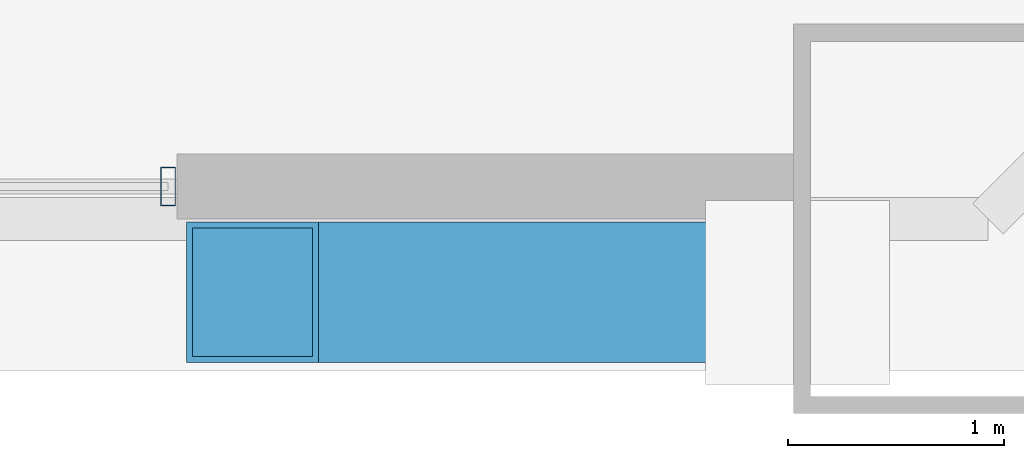
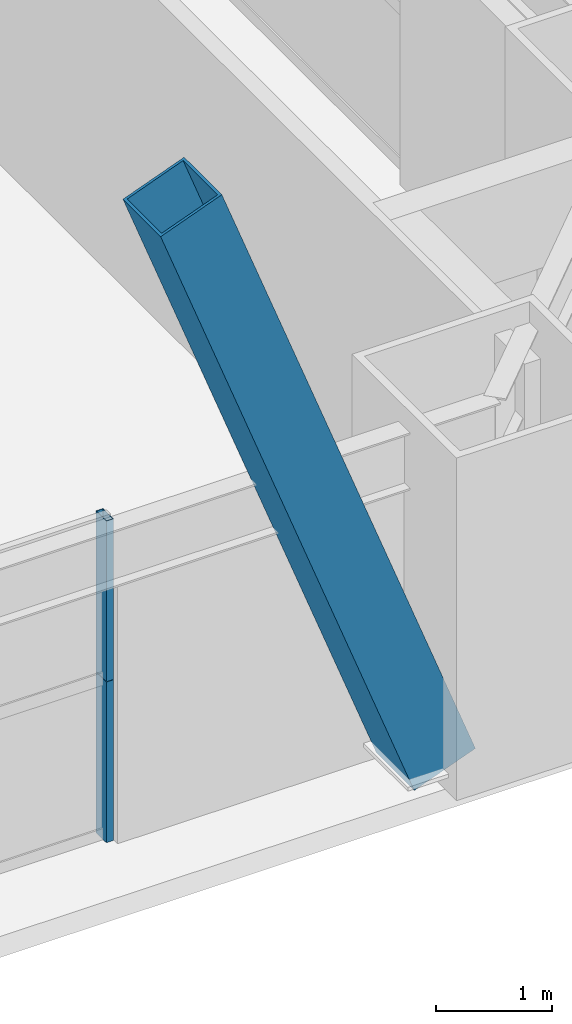
# One storey, part 15 of 43: 3 members, 1 element without a shape of its own.
"""IFC4 building model written with IfcOpenShell, lengths in metres."""

from ifc_helpers import new_model, si_unit, direction, frame, origin, origin_2d, place, context, subcontext, project, spatial, hollow_rectangle, extrude, source, transform, mapped, material, layer, layer_set, material_profile, profile_set, type_object, element, aggregate, save


model = new_model("IFC4")

# Units and contexts
model_context = context("Model", 3, precision=1e-05, world=origin(), true_north=direction((0.0, 1.0)))
body_context = subcontext(model_context, "Body", "Model", "MODEL_VIEW")
ifc_project = project(units=[si_unit("LENGTHUNIT", "METRE"), si_unit("AREAUNIT", "SQUARE_METRE"), si_unit("VOLUMEUNIT", "CUBIC_METRE"), si_unit("PLANEANGLEUNIT", "RADIAN"), si_unit("MASSUNIT", "GRAM", prefix="KILO"), si_unit("THERMODYNAMICTEMPERATUREUNIT", "KELVIN"), si_unit("POWERUNIT", "WATT")], contexts=[model_context])

# Site, building, storey
site_placement = place(None, origin())
site = spatial("IfcSite", under=ifc_project, at=site_placement, CompositionType="ELEMENT")
building_placement = place(site_placement, origin())
building = spatial("IfcBuilding", under=site, at=building_placement, Name="Yuzanri Waterfront Tower", CompositionType="ELEMENT")
storey_placement = place(building_placement, frame((0.0, 0.0, 53.199951171875)))
storey = spatial("IfcBuildingStorey", under=building, at=storey_placement, Name="L13", CompositionType="ELEMENT", Elevation=53.199951171875)

# Member
ifc_material_1 = material(Name="Steel Q420GJC", Category="steel")
ifc_material_profile_1 = material_profile(ifc_material_1, hollow_rectangle(XDim=0.64990234375, YDim=0.64990234375, WallThickness=0.028076171875, at=origin_2d()), Name="RHS 650x650x28")
ifc_profile_set_1 = profile_set([ifc_material_profile_1], Name="Steel Q420GJC")
member_type_1 = type_object("IfcMemberType", Name="Mega Brace Lower Q420GJC RHS 650x650x28", PredefinedType="BRACE", material=ifc_profile_set_1)
shared_shape_1 = source(origin(), body_context, "Body", "SweptSolid", [
    extrude(hollow_rectangle(XDim=0.64990234375, YDim=0.64990234375, WallThickness=0.028076171875, at=origin_2d()), origin(), (0.0, 0.0, 1.0), 7.158447265625),
])
member_1_placement = place(storey_placement, frame((57.6201171875, 0.360107421875, 0.179931640625), z_axis=(-0.352035242291, 0.0, 0.935986745731), x_axis=(0.0, -1.0, 0.0)))
element("IfcMember", 1, at=member_1_placement, inside=storey, type_object=member_type_1, Name="L13-L14 Perimeter Mega-Brace S-R", PredefinedType="BRACE", context=body_context, shape_type="MappedRepresentation", body=[
    mapped(shared_shape_1, transform((0.0, 0.0, 0.0), scale=1.0)),
])

# Curtain wall, members
ifc_material_2 = material(Name="Anodized Architectural Bronze", Category="metal")
ifc_layer = layer(ifc_material_2, 0.159912109375)
ifc_layer_set = layer_set([ifc_layer], Name="Anodized Architectural Bronze")
curtain_wall_type = type_object("IfcCurtainWallType", Name="Anodized Bronze Hotel Lower-Tier Recessed Unitized Curtain Wall 8100", PredefinedType="NOTDEFINED", material=ifc_layer_set)
curtain_wall_placement = place(storey_placement, origin())
curtain_wall = element("IfcCurtainWall", 2, at=curtain_wall_placement, inside=storey, type_object=curtain_wall_type, Name="L13 Curtain Wall CW-L13-SR", PredefinedType="NOTDEFINED")
ifc_material_3 = material(Name="Anodized Architectural Bronze", Category="metal")
ifc_material_profile_2 = material_profile(ifc_material_3, hollow_rectangle(XDim=0.070068359375, YDim=0.179931640625, WallThickness=0.00390625, at=origin_2d()), Name="CWM 70x180")
ifc_profile_set_2 = profile_set([ifc_material_profile_2], Name="Anodized Architectural Bronze")
member_type_2 = type_object("IfcMemberType", Name="Anodized Bronze Standard Curtain-Wall Mullion 70x180", PredefinedType="MULLION", material=ifc_profile_set_2)
shared_shape_2 = source(origin(), body_context, "Body", "SweptSolid", [
    extrude(hollow_rectangle(XDim=0.070068359375, YDim=0.179931640625, WallThickness=0.00390625, at=origin_2d()), origin(), (0.0, 0.0, 1.0), 1.68798828125),
])
member_2_placement = place(storey_placement, frame((54.7099609375, 0.85009765625, 0.0), z_axis=(0.0, 0.0, 1.0), x_axis=(1.0, 0.0, 0.0)))
member_2 = element("IfcMember", 3, at=member_2_placement, type_object=member_type_2, Name="CW-L13-SR Lower Mullion 02", PredefinedType="MULLION", context=body_context, shape_type="MappedRepresentation", body=[
    mapped(shared_shape_2, transform((0.0, 0.0, 0.0), scale=1.0)),
])
member_3_placement = place(storey_placement, frame((54.7099609375, 0.85009765625, 1.692138671875), z_axis=(0.0, 0.0, 1.0), x_axis=(1.0, 0.0, 0.0)))
member_3 = element("IfcMember", 4, at=member_3_placement, type_object=member_type_2, Name="CW-L13-SR Upper Mullion 02", PredefinedType="MULLION", context=body_context, shape_type="MappedRepresentation", body=[
    mapped(shared_shape_2, transform((0.0, 0.0, 0.0), scale=1.0)),
])
aggregate(curtain_wall, [member_2, member_3])

save(model, "model.ifc")
